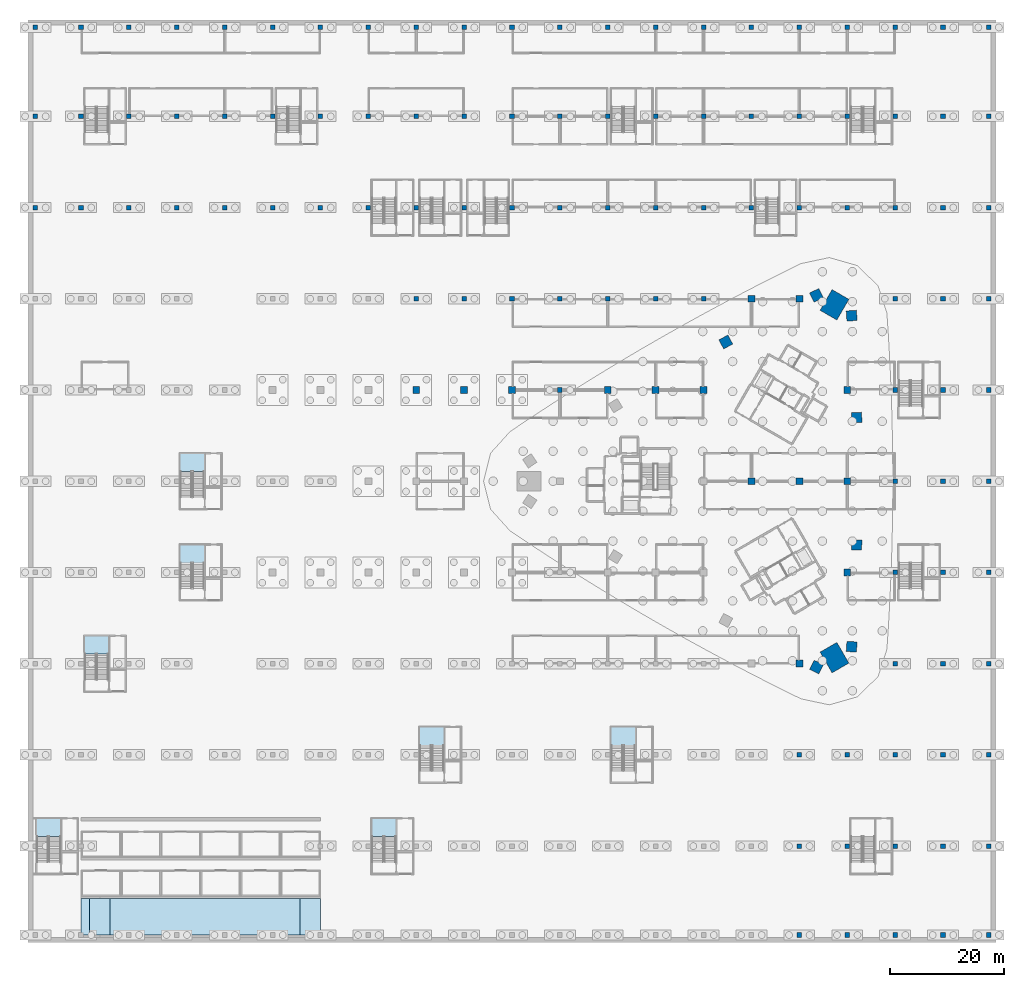
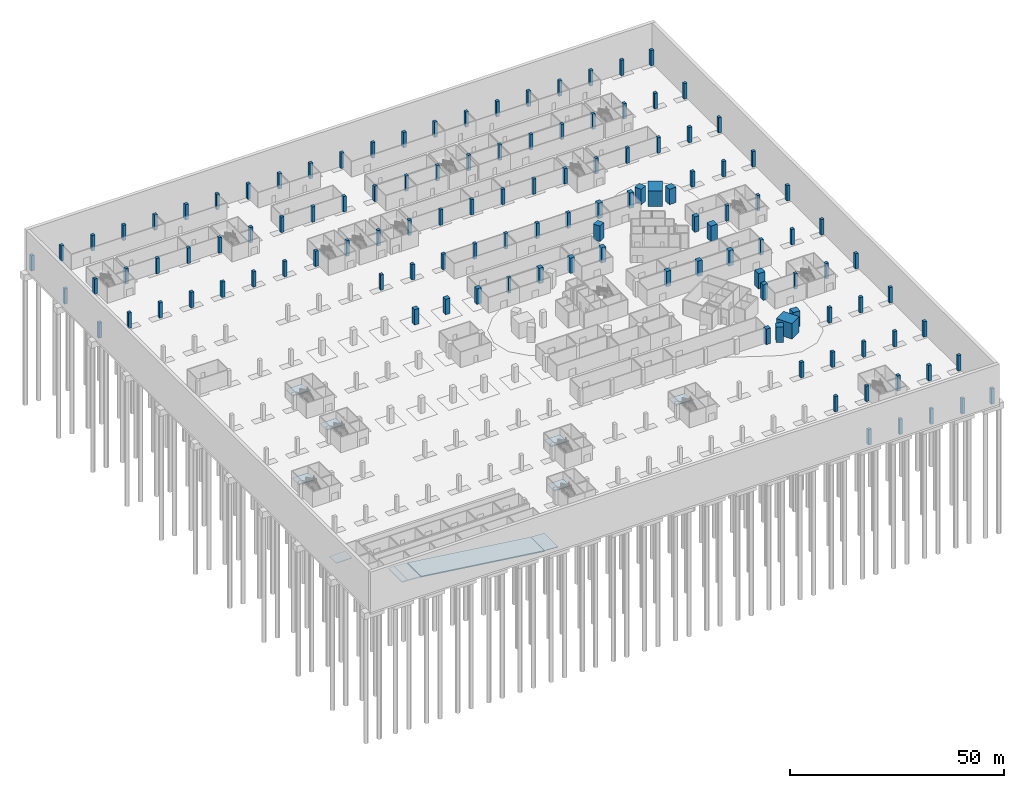
# One storey, part 4 of 46: 124 columns, 11 slabs, 7 elements without a shape of their own.
"""IFC4 building model written with IfcOpenShell, lengths in metres."""

from ifc_helpers import new_model, si_unit, direction, frame, origin, origin_2d, place, context, subcontext, project, spatial, polyline, rectangle, outline, extrude, material, layer, layer_set, material_profile, profile_set, type_object, element, aggregate, save


model = new_model("IFC4")

# Units and contexts
model_context = context("Model", 3, precision=1e-05, world=origin(), true_north=direction((0.0, 1.0)))
body_context = subcontext(model_context, "Body", "Model", "MODEL_VIEW")
ifc_project = project(units=[si_unit("LENGTHUNIT", "METRE"), si_unit("AREAUNIT", "SQUARE_METRE"), si_unit("VOLUMEUNIT", "CUBIC_METRE"), si_unit("PLANEANGLEUNIT", "RADIAN"), si_unit("MASSUNIT", "GRAM", prefix="KILO")], contexts=[model_context])

# Site, building, storey
site_placement = place(None, origin())
site = spatial("IfcSite", under=ifc_project, at=site_placement, CompositionType="ELEMENT")
building_placement = place(site_placement, origin())
building = spatial("IfcBuilding", under=site, at=building_placement, Name="Tamra Quay Hotel Tower", CompositionType="ELEMENT")
storey_placement = place(building_placement, frame((0.0, 0.0, -12.0)))
storey = spatial("IfcBuildingStorey", under=building, at=storey_placement, Name="B3", CompositionType="ELEMENT", Elevation=-12.0)

# Columns
ifc_material_1 = material(Name="Concrete M70", Category="concrete")
ifc_material_profile_1 = material_profile(ifc_material_1, rectangle(XDim=1.199951171875, YDim=1.199951171875, at=origin_2d()), Name="LATTICE COLUMN RC 1200x1200")
ifc_profile_set_1 = profile_set([ifc_material_profile_1], Name="Concrete M70")
column_type_1 = type_object("IfcColumnType", Name="LATTICE COLUMN RC 1200x1200", PredefinedType="COLUMN", material=ifc_profile_set_1)
for number, where, z_axis, x_axis, name in (
    (1, (-55.5, 16.0, 0.0), (0.0, 0.0, 1.0), (1.0, 0.0, 0.0), "COL-BC089-B3"),
    (2, (-47.10009765625, 16.0, 0.0), (0.0, 0.0, 1.0), (1.0, 0.0, 0.0), "COL-BC100-B3"),
    (3, (-38.699951171875, 16.0, 0.0), (0.0, 0.0, 1.0), (1.0, 0.0, 0.0), "COL-BC110-B3"),
    (4, (-21.89990234375, 16.0, 0.0), (0.0, 0.0, 1.0), (1.0, 0.0, 0.0), "COL-BC131-B3"),
    (5, (-13.5, 16.0, 0.0), (0.0, 0.0, 1.0), (1.0, 0.0, 0.0), "COL-BC141-B3"),
    (6, (-5.10009765625, 16.0, 0.0), (0.0, 0.0, 1.0), (1.0, 0.0, 0.0), "COL-BC152-B3"),
    (7, (3.300048828125, 0.0, 0.0), (0.0, 0.0, 1.0), (1.0, 0.0, 0.0), "COL-BC161-B3"),
    (8, (3.300048828125, 32.0, 0.0), (0.0, 0.0, 1.0), (1.0, 0.0, 0.0), "COL-BC162-B3"),
    (9, (11.699951171875, -32.0, 0.0), (0.0, 0.0, 1.0), (1.0, 0.0, 0.0), "COL-BC169-B3"),
    (10, (11.699951171875, 0.0, 0.0), (0.0, 0.0, 1.0), (1.0, 0.0, 0.0), "COL-BC170-B3"),
    (11, (11.699951171875, 32.0, 0.0), (0.0, 0.0, 1.0), (1.0, 0.0, 0.0), "COL-BC171-B3"),
    (12, (20.10009765625, -16.0, 0.0), (0.0, 0.0, 1.0), (1.0, 0.0, 0.0), "COL-BC178-B3"),
    (13, (20.10009765625, 0.0, 0.0), (0.0, 0.0, 1.0), (1.0, 0.0, 0.0), "COL-BC179-B3"),
    (14, (20.10009765625, 16.0, 0.0), (0.0, 0.0, 1.0), (1.0, 0.0, 0.0), "COL-BC180-B3"),
):
    element("IfcColumn", number, at=place(storey_placement, frame(where, z_axis=z_axis, x_axis=x_axis)), inside=storey, type_object=column_type_1, Name=name, PredefinedType="COLUMN", context=body_context, shape_type="SweptSolid", body=[
        extrude(rectangle(XDim=1.199951171875, YDim=1.199951171875, at=origin_2d()), origin(), (0.0, 0.0, 1.0), 4.39990234375),
    ])
ifc_material_profile_2 = material_profile(ifc_material_1, rectangle(XDim=0.800048828125, YDim=0.800048828125, at=origin_2d()), Name="LATTICE COLUMN RC 800x800")
ifc_profile_set_2 = profile_set([ifc_material_profile_2], Name="Concrete M70")
column_type_2 = type_object("IfcColumnType", Name="LATTICE COLUMN RC 800x800", PredefinedType="COLUMN", material=ifc_profile_set_2)
for number, where, z_axis, x_axis, name in (
    (15, (-122.300048828125, 48.0, 0.0), (0.0, 0.0, 1.0), (1.0, 0.0, 0.0), "COL-BC009-B3"),
    (16, (-122.300048828125, 64.0, 0.0), (0.0, 0.0, 1.0), (1.0, 0.0, 0.0), "COL-BC010-B3"),
    (17, (-122.300048828125, 79.60009765625, 0.0), (0.0, 0.0, 1.0), (1.0, 0.0, 0.0), "COL-BC011-B3"),
    (18, (-114.300048828125, 48.0, 0.0), (0.0, 0.0, 1.0), (1.0, 0.0, 0.0), "COL-BC020-B3"),
    (19, (-114.300048828125, 64.0, 0.0), (0.0, 0.0, 1.0), (1.0, 0.0, 0.0), "COL-BC021-B3"),
    (20, (-114.300048828125, 79.60009765625, 0.0), (0.0, 0.0, 1.0), (1.0, 0.0, 0.0), "COL-BC022-B3"),
    (21, (-105.89990234375, 48.0, 0.0), (0.0, 0.0, 1.0), (1.0, 0.0, 0.0), "COL-BC030-B3"),
    (22, (-105.89990234375, 64.0, 0.0), (0.0, 0.0, 1.0), (1.0, 0.0, 0.0), "COL-BC031-B3"),
    (23, (-105.89990234375, 79.60009765625, 0.0), (0.0, 0.0, 1.0), (1.0, 0.0, 0.0), "COL-BC032-B3"),
    (24, (-97.5, 48.0, 0.0), (0.0, 0.0, 1.0), (1.0, 0.0, 0.0), "COL-BC040-B3"),
    (25, (-97.5, 64.0, 0.0), (0.0, 0.0, 1.0), (1.0, 0.0, 0.0), "COL-BC041-B3"),
    (26, (-97.5, 79.60009765625, 0.0), (0.0, 0.0, 1.0), (1.0, 0.0, 0.0), "COL-BC042-B3"),
    (27, (-89.10009765625, 48.0, 0.0), (0.0, 0.0, 1.0), (1.0, 0.0, 0.0), "COL-BC048-B3"),
    (28, (-89.10009765625, 64.0, 0.0), (0.0, 0.0, 1.0), (1.0, 0.0, 0.0), "COL-BC049-B3"),
    (29, (-89.10009765625, 79.60009765625, 0.0), (0.0, 0.0, 1.0), (1.0, 0.0, 0.0), "COL-BC050-B3"),
    (30, (-80.699951171875, 48.0, 0.0), (0.0, 0.0, 1.0), (1.0, 0.0, 0.0), "COL-BC058-B3"),
    (31, (-80.699951171875, 64.0, 0.0), (0.0, 0.0, 1.0), (1.0, 0.0, 0.0), "COL-BC059-B3"),
    (32, (-80.699951171875, 79.60009765625, 0.0), (0.0, 0.0, 1.0), (1.0, 0.0, 0.0), "COL-BC060-B3"),
    (33, (-72.300048828125, 48.0, 0.0), (0.0, 0.0, 1.0), (1.0, 0.0, 0.0), "COL-BC069-B3"),
    (34, (-72.300048828125, 64.0, 0.0), (0.0, 0.0, 1.0), (1.0, 0.0, 0.0), "COL-BC070-B3"),
    (35, (-72.300048828125, 79.60009765625, 0.0), (0.0, 0.0, 1.0), (1.0, 0.0, 0.0), "COL-BC071-B3"),
    (36, (-63.89990234375, 48.0, 0.0), (0.0, 0.0, 1.0), (1.0, 0.0, 0.0), "COL-BC080-B3"),
    (37, (-63.89990234375, 64.0, 0.0), (0.0, 0.0, 1.0), (1.0, 0.0, 0.0), "COL-BC081-B3"),
    (38, (-63.89990234375, 79.60009765625, 0.0), (0.0, 0.0, 1.0), (1.0, 0.0, 0.0), "COL-BC082-B3"),
    (39, (-55.5, 32.0, 0.0), (0.0, 0.0, 1.0), (1.0, 0.0, 0.0), "COL-BC090-B3"),
    (40, (-55.5, 48.0, 0.0), (0.0, 0.0, 1.0), (1.0, 0.0, 0.0), "COL-BC091-B3"),
    (41, (-55.5, 64.0, 0.0), (0.0, 0.0, 1.0), (1.0, 0.0, 0.0), "COL-BC092-B3"),
    (42, (-55.5, 79.60009765625, 0.0), (0.0, 0.0, 1.0), (1.0, 0.0, 0.0), "COL-BC093-B3"),
    (43, (-47.10009765625, 32.0, 0.0), (0.0, 0.0, 1.0), (1.0, 0.0, 0.0), "COL-BC101-B3"),
    (44, (-47.10009765625, 48.0, 0.0), (0.0, 0.0, 1.0), (1.0, 0.0, 0.0), "COL-BC102-B3"),
    (45, (-47.10009765625, 64.0, 0.0), (0.0, 0.0, 1.0), (1.0, 0.0, 0.0), "COL-BC103-B3"),
    (46, (-47.10009765625, 79.60009765625, 0.0), (0.0, 0.0, 1.0), (1.0, 0.0, 0.0), "COL-BC104-B3"),
    (47, (-38.699951171875, 32.0, 0.0), (0.0, 0.0, 1.0), (1.0, 0.0, 0.0), "COL-BC111-B3"),
    (48, (-38.699951171875, 48.0, 0.0), (0.0, 0.0, 1.0), (1.0, 0.0, 0.0), "COL-BC112-B3"),
    (49, (-38.699951171875, 64.0, 0.0), (0.0, 0.0, 1.0), (1.0, 0.0, 0.0), "COL-BC113-B3"),
    (50, (-38.699951171875, 79.60009765625, 0.0), (0.0, 0.0, 1.0), (1.0, 0.0, 0.0), "COL-BC114-B3"),
    (51, (-30.300048828125, 16.0, 0.0), (0.0, 0.0, 1.0), (1.0, 0.0, 0.0), "COL-BC121-B3"),
    (52, (-30.300048828125, 32.0, 0.0), (0.0, 0.0, 1.0), (1.0, 0.0, 0.0), "COL-BC122-B3"),
    (53, (-30.300048828125, 48.0, 0.0), (0.0, 0.0, 1.0), (1.0, 0.0, 0.0), "COL-BC123-B3"),
    (54, (-30.300048828125, 64.0, 0.0), (0.0, 0.0, 1.0), (1.0, 0.0, 0.0), "COL-BC124-B3"),
    (55, (-30.300048828125, 79.60009765625, 0.0), (0.0, 0.0, 1.0), (1.0, 0.0, 0.0), "COL-BC125-B3"),
    (56, (-21.89990234375, 32.0, 0.0), (0.0, 0.0, 1.0), (1.0, 0.0, 0.0), "COL-BC132-B3"),
    (57, (-21.89990234375, 48.0, 0.0), (0.0, 0.0, 1.0), (1.0, 0.0, 0.0), "COL-BC133-B3"),
    (58, (-21.89990234375, 64.0, 0.0), (0.0, 0.0, 1.0), (1.0, 0.0, 0.0), "COL-BC134-B3"),
    (59, (-21.89990234375, 79.60009765625, 0.0), (0.0, 0.0, 1.0), (1.0, 0.0, 0.0), "COL-BC135-B3"),
    (60, (-13.5, 32.0, 0.0), (0.0, 0.0, 1.0), (1.0, 0.0, 0.0), "COL-BC142-B3"),
    (61, (-13.5, 48.0, 0.0), (0.0, 0.0, 1.0), (1.0, 0.0, 0.0), "COL-BC143-B3"),
    (62, (-13.5, 64.0, 0.0), (0.0, 0.0, 1.0), (1.0, 0.0, 0.0), "COL-BC144-B3"),
    (63, (-13.5, 79.60009765625, 0.0), (0.0, 0.0, 1.0), (1.0, 0.0, 0.0), "COL-BC145-B3"),
    (64, (-5.10009765625, 32.0, 0.0), (0.0, 0.0, 1.0), (1.0, 0.0, 0.0), "COL-BC153-B3"),
    (65, (-5.10009765625, 48.0, 0.0), (0.0, 0.0, 1.0), (1.0, 0.0, 0.0), "COL-BC154-B3"),
    (66, (-5.10009765625, 64.0, 0.0), (0.0, 0.0, 1.0), (1.0, 0.0, 0.0), "COL-BC155-B3"),
    (67, (-5.10009765625, 79.60009765625, 0.0), (0.0, 0.0, 1.0), (1.0, 0.0, 0.0), "COL-BC156-B3"),
    (68, (3.300048828125, 48.0, 0.0), (0.0, 0.0, 1.0), (1.0, 0.0, 0.0), "COL-BC163-B3"),
    (69, (3.300048828125, 64.0, 0.0), (0.0, 0.0, 1.0), (1.0, 0.0, 0.0), "COL-BC164-B3"),
    (70, (3.300048828125, 79.60009765625, 0.0), (0.0, 0.0, 1.0), (1.0, 0.0, 0.0), "COL-BC165-B3"),
    (71, (11.699951171875, -79.60009765625, 0.0), (0.0, 0.0, 1.0), (1.0, 0.0, 0.0), "COL-BC166-B3"),
    (72, (11.699951171875, -64.0, 0.0), (0.0, 0.0, 1.0), (1.0, 0.0, 0.0), "COL-BC167-B3"),
    (73, (11.699951171875, -48.0, 0.0), (0.0, 0.0, 1.0), (1.0, 0.0, 0.0), "COL-BC168-B3"),
    (74, (11.699951171875, 48.0, 0.0), (0.0, 0.0, 1.0), (1.0, 0.0, 0.0), "COL-BC172-B3"),
    (75, (11.699951171875, 64.0, 0.0), (0.0, 0.0, 1.0), (1.0, 0.0, 0.0), "COL-BC173-B3"),
    (76, (11.699951171875, 79.60009765625, 0.0), (0.0, 0.0, 1.0), (1.0, 0.0, 0.0), "COL-BC174-B3"),
    (77, (20.10009765625, -79.60009765625, 0.0), (0.0, 0.0, 1.0), (1.0, 0.0, 0.0), "COL-BC175-B3"),
    (78, (20.10009765625, -64.0, 0.0), (0.0, 0.0, 1.0), (1.0, 0.0, 0.0), "COL-BC176-B3"),
    (79, (20.10009765625, -48.0, 0.0), (0.0, 0.0, 1.0), (1.0, 0.0, 0.0), "COL-BC177-B3"),
    (80, (20.10009765625, 48.0, 0.0), (0.0, 0.0, 1.0), (1.0, 0.0, 0.0), "COL-BC181-B3"),
    (81, (20.10009765625, 64.0, 0.0), (0.0, 0.0, 1.0), (1.0, 0.0, 0.0), "COL-BC182-B3"),
    (82, (20.10009765625, 79.60009765625, 0.0), (0.0, 0.0, 1.0), (1.0, 0.0, 0.0), "COL-BC183-B3"),
    (83, (28.5, -79.60009765625, 0.0), (0.0, 0.0, 1.0), (1.0, 0.0, 0.0), "COL-BC184-B3"),
    (84, (28.5, -64.0, 0.0), (0.0, 0.0, 1.0), (1.0, 0.0, 0.0), "COL-BC185-B3"),
    (85, (28.5, -48.0, 0.0), (0.0, 0.0, 1.0), (1.0, 0.0, 0.0), "COL-BC186-B3"),
    (86, (28.5, -32.0, 0.0), (0.0, 0.0, 1.0), (1.0, 0.0, 0.0), "COL-BC187-B3"),
    (87, (28.5, -16.0, 0.0), (0.0, 0.0, 1.0), (1.0, 0.0, 0.0), "COL-BC188-B3"),
    (88, (28.5, 0.0, 0.0), (0.0, 0.0, 1.0), (1.0, 0.0, 0.0), "COL-BC189-B3"),
    (89, (28.5, 16.0, 0.0), (0.0, 0.0, 1.0), (1.0, 0.0, 0.0), "COL-BC190-B3"),
    (90, (28.5, 32.0, 0.0), (0.0, 0.0, 1.0), (1.0, 0.0, 0.0), "COL-BC191-B3"),
    (91, (28.5, 48.0, 0.0), (0.0, 0.0, 1.0), (1.0, 0.0, 0.0), "COL-BC192-B3"),
    (92, (28.5, 64.0, 0.0), (0.0, 0.0, 1.0), (1.0, 0.0, 0.0), "COL-BC193-B3"),
    (93, (28.5, 79.60009765625, 0.0), (0.0, 0.0, 1.0), (1.0, 0.0, 0.0), "COL-BC194-B3"),
    (94, (36.89990234375, -79.60009765625, 0.0), (0.0, 0.0, 1.0), (1.0, 0.0, 0.0), "COL-BC195-B3"),
    (95, (36.89990234375, -64.0, 0.0), (0.0, 0.0, 1.0), (1.0, 0.0, 0.0), "COL-BC196-B3"),
    (96, (36.89990234375, -48.0, 0.0), (0.0, 0.0, 1.0), (1.0, 0.0, 0.0), "COL-BC197-B3"),
    (97, (36.89990234375, -32.0, 0.0), (0.0, 0.0, 1.0), (1.0, 0.0, 0.0), "COL-BC198-B3"),
    (98, (36.89990234375, -16.0, 0.0), (0.0, 0.0, 1.0), (1.0, 0.0, 0.0), "COL-BC199-B3"),
    (99, (36.89990234375, 0.0, 0.0), (0.0, 0.0, 1.0), (1.0, 0.0, 0.0), "COL-BC200-B3"),
    (100, (36.89990234375, 16.0, 0.0), (0.0, 0.0, 1.0), (1.0, 0.0, 0.0), "COL-BC201-B3"),
    (101, (36.89990234375, 32.0, 0.0), (0.0, 0.0, 1.0), (1.0, 0.0, 0.0), "COL-BC202-B3"),
    (102, (36.89990234375, 48.0, 0.0), (0.0, 0.0, 1.0), (1.0, 0.0, 0.0), "COL-BC203-B3"),
    (103, (36.89990234375, 64.0, 0.0), (0.0, 0.0, 1.0), (1.0, 0.0, 0.0), "COL-BC204-B3"),
    (104, (36.89990234375, 79.60009765625, 0.0), (0.0, 0.0, 1.0), (1.0, 0.0, 0.0), "COL-BC205-B3"),
    (105, (44.89990234375, -79.60009765625, 0.0), (0.0, 0.0, 1.0), (1.0, 0.0, 0.0), "COL-BC206-B3"),
    (106, (44.89990234375, -64.0, 0.0), (0.0, 0.0, 1.0), (1.0, 0.0, 0.0), "COL-BC207-B3"),
    (107, (44.89990234375, -48.0, 0.0), (0.0, 0.0, 1.0), (1.0, 0.0, 0.0), "COL-BC208-B3"),
    (108, (44.89990234375, -32.0, 0.0), (0.0, 0.0, 1.0), (1.0, 0.0, 0.0), "COL-BC209-B3"),
    (109, (44.89990234375, -16.0, 0.0), (0.0, 0.0, 1.0), (1.0, 0.0, 0.0), "COL-BC210-B3"),
    (110, (44.89990234375, 0.0, 0.0), (0.0, 0.0, 1.0), (1.0, 0.0, 0.0), "COL-BC211-B3"),
    (111, (44.89990234375, 16.0, 0.0), (0.0, 0.0, 1.0), (1.0, 0.0, 0.0), "COL-BC212-B3"),
    (112, (44.89990234375, 32.0, 0.0), (0.0, 0.0, 1.0), (1.0, 0.0, 0.0), "COL-BC213-B3"),
    (113, (44.89990234375, 48.0, 0.0), (0.0, 0.0, 1.0), (1.0, 0.0, 0.0), "COL-BC214-B3"),
    (114, (44.89990234375, 64.0, 0.0), (0.0, 0.0, 1.0), (1.0, 0.0, 0.0), "COL-BC215-B3"),
    (115, (44.89990234375, 79.60009765625, 0.0), (0.0, 0.0, 1.0), (1.0, 0.0, 0.0), "COL-BC216-B3"),
):
    element("IfcColumn", number, at=place(storey_placement, frame(where, z_axis=z_axis, x_axis=x_axis)), inside=storey, type_object=column_type_2, Name=name, PredefinedType="COLUMN", context=body_context, shape_type="SweptSolid", body=[
        extrude(rectangle(XDim=0.800048828125, YDim=0.800048828125, at=origin_2d()), origin(), (0.0, 0.0, 1.0), 4.39990234375),
    ])
ifc_material_profile_3 = material_profile(ifc_material_1, rectangle(XDim=4.199951171875, YDim=3.39990234375, at=origin_2d()), Name="MEGA COLUMN RC 3400x4200 Z1")
ifc_profile_set_3 = profile_set([ifc_material_profile_3], Name="Concrete M70")
column_type_3 = type_object("IfcColumnType", Name="MEGA COLUMN RC 3400x4200 Z1", PredefinedType="COLUMN", material=ifc_profile_set_3)
for number, where, z_axis, x_axis, name in (
    (116, (17.864501953125, 30.942138671875, 0.0), (0.0, 0.0, 1.0), (0.5, 0.866025403784, 0.0), "COL-M0NE-B3"),
    (117, (17.864501953125, -30.942138671875, 0.0), (0.0, 0.0, 1.0), (-0.5, 0.866025403784, 0.0), "COL-M0SE-B3"),
):
    element("IfcColumn", number, at=place(storey_placement, frame(where, z_axis=z_axis, x_axis=x_axis)), inside=storey, type_object=column_type_3, Name=name, PredefinedType="COLUMN", context=body_context, shape_type="SweptSolid", body=[
        extrude(rectangle(XDim=4.199951171875, YDim=3.39990234375, at=origin_2d()), origin(), (0.0, 0.0, 1.0), 4.39990234375),
    ])
ifc_material_profile_4 = material_profile(ifc_material_1, rectangle(XDim=1.800048828125, YDim=1.800048828125, at=origin_2d()), Name="MIDFACE COLUMN RC 1800x1800")
ifc_profile_set_4 = profile_set([ifc_material_profile_4], Name="Concrete M70")
column_type_4 = type_object("IfcColumnType", Name="MIDFACE COLUMN RC 1800x1800", PredefinedType="COLUMN", material=ifc_profile_set_4)
for number, where, z_axis, x_axis, name in (
    (118, (20.87890625, -29.033935546875, 0.0), (0.0, 0.0, 1.0), (-0.997561736499, 0.069789554182, 0.0), "COL-PRE1-B3"),
    (119, (21.7490234375, -11.17431640625, 0.0), (0.0, 0.0, 1.0), (-0.999628128016, 0.02726913418, 0.0), "COL-PRE2-B3"),
    (120, (21.7490234375, 11.17431640625, 0.0), (0.0, 0.0, 1.0), (0.999628128016, 0.02726913418, 0.0), "COL-PRE3-B3"),
    (121, (20.87890625, 29.033935546875, 0.0), (0.0, 0.0, 1.0), (0.997561736499, 0.069789554182, 0.0), "COL-PRE4-B3"),
    (122, (14.70458984375, 32.5986328125, 0.0), (0.0, 0.0, 1.0), (-0.438341341409, 0.898808582743, 0.0), "COL-PRNW1-B3"),
    (123, (-1.197265625, 24.422607421875, 0.0), (0.0, 0.0, 1.0), (-0.476198301069, 0.879337920289, 0.0), "COL-PRNW2-B3"),
    (124, (14.70458984375, -32.5986328125, 0.0), (0.0, 0.0, 1.0), (0.438341341409, 0.898808582743, 0.0), "COL-PRSW4-B3"),
):
    element("IfcColumn", number, at=place(storey_placement, frame(where, z_axis=z_axis, x_axis=x_axis)), inside=storey, type_object=column_type_4, Name=name, PredefinedType="COLUMN", context=body_context, shape_type="SweptSolid", body=[
        extrude(rectangle(XDim=1.800048828125, YDim=1.800048828125, at=origin_2d()), origin(), (0.0, 0.0, 1.0), 4.39990234375),
    ])

# Stair, slab
ifc_material_2 = material(Name="Basement exit stair")
stair_type = type_object("IfcStairType", Name="Basement exit stair", PredefinedType="HALF_TURN_STAIR", material=ifc_material_2)
stair_1_placement = place(storey_placement, origin())
stair_1 = element("IfcStair", 125, at=stair_1_placement, inside=storey, type_object=stair_type, Name="B3 Basement Exit Stair BS1", PredefinedType="HALF_TURN_STAIR")
ifc_material_3 = material(Name="Concrete M60", Category="concrete")
ifc_layer_1 = layer(ifc_material_3, 0.199951171875)
ifc_layer_set_1 = layer_set([ifc_layer_1], Name="Concrete M60 basement stair landing 200")
slab_type_1 = type_object("IfcSlabType", Name="Concrete M60 basement stair landing 200", PredefinedType="LANDING", material=ifc_layer_set_1)
slab_1_placement = place(storey_placement, frame((0.0, 0.0, 2.199951171875)))
slab_1 = element("IfcSlab", 126, at=slab_1_placement, type_object=slab_type_1, Name="BS1 landing 1", PredefinedType="LANDING", context=body_context, shape_type="SweptSolid", body=[
    extrude(outline(polyline([(-109.449951171875, -30.320068359375), (-109.449951171875, -27.14990234375), (-113.699951171875, -27.14990234375), (-113.699951171875, -30.320068359375), (-109.449951171875, -30.320068359375)])), origin(), (0.0, 0.0, 1.0), 0.199951171875),
])
aggregate(stair_1, [slab_1])

stair_2_placement = place(storey_placement, origin())
stair_2 = element("IfcStair", 127, at=stair_2_placement, inside=storey, type_object=stair_type, Name="B3 Basement Exit Stair BS3", PredefinedType="HALF_TURN_STAIR")
slab_2_placement = place(storey_placement, frame((0.0, 0.0, 2.199951171875)))
slab_2 = element("IfcSlab", 128, at=slab_2_placement, type_object=slab_type_1, Name="BS3 landing 1", PredefinedType="LANDING", context=body_context, shape_type="SweptSolid", body=[
    extrude(outline(polyline([(-92.64990234375, -14.320068359375), (-92.64990234375, -11.14990234375), (-96.89990234375, -11.14990234375), (-96.89990234375, -14.320068359375), (-92.64990234375, -14.320068359375)])), origin(), (0.0, 0.0, 1.0), 0.199951171875),
])
aggregate(stair_2, [slab_2])

stair_3_placement = place(storey_placement, origin())
stair_3 = element("IfcStair", 129, at=stair_3_placement, inside=storey, type_object=stair_type, Name="B3 Basement Exit Stair BS4", PredefinedType="HALF_TURN_STAIR")
slab_3_placement = place(storey_placement, frame((0.0, 0.0, 2.199951171875)))
slab_3 = element("IfcSlab", 130, at=slab_3_placement, type_object=slab_type_1, Name="BS4 landing 1", PredefinedType="LANDING", context=body_context, shape_type="SweptSolid", body=[
    extrude(outline(polyline([(-92.64990234375, 1.679931640625), (-92.64990234375, 4.85009765625), (-96.89990234375, 4.85009765625), (-96.89990234375, 1.679931640625), (-92.64990234375, 1.679931640625)])), origin(), (0.0, 0.0, 1.0), 0.199951171875),
])
aggregate(stair_3, [slab_3])

stair_4_placement = place(storey_placement, origin())
stair_4 = element("IfcStair", 131, at=stair_4_placement, inside=storey, type_object=stair_type, Name="B3 Basement Exit Stair BS6", PredefinedType="HALF_TURN_STAIR")
slab_4_placement = place(storey_placement, frame((0.0, 0.0, 2.199951171875)))
slab_4 = element("IfcSlab", 132, at=slab_4_placement, type_object=slab_type_1, Name="BS6 landing 1", PredefinedType="LANDING", context=body_context, shape_type="SweptSolid", body=[
    extrude(outline(polyline([(-59.050048828125, -62.320068359375), (-59.050048828125, -59.14990234375), (-63.300048828125, -59.14990234375), (-63.300048828125, -62.320068359375), (-59.050048828125, -62.320068359375)])), origin(), (0.0, 0.0, 1.0), 0.199951171875),
])
aggregate(stair_4, [slab_4])

stair_5_placement = place(storey_placement, origin())
stair_5 = element("IfcStair", 133, at=stair_5_placement, inside=storey, type_object=stair_type, Name="B3 Basement Exit Stair BS8", PredefinedType="HALF_TURN_STAIR")
slab_5_placement = place(storey_placement, frame((0.0, 0.0, 2.199951171875)))
slab_5 = element("IfcSlab", 134, at=slab_5_placement, type_object=slab_type_1, Name="BS8 landing 1", PredefinedType="LANDING", context=body_context, shape_type="SweptSolid", body=[
    extrude(outline(polyline([(-50.64990234375, -46.320068359375), (-50.64990234375, -43.14990234375), (-54.89990234375, -43.14990234375), (-54.89990234375, -46.320068359375), (-50.64990234375, -46.320068359375)])), origin(), (0.0, 0.0, 1.0), 0.199951171875),
])
aggregate(stair_5, [slab_5])

stair_6_placement = place(storey_placement, origin())
stair_6 = element("IfcStair", 135, at=stair_6_placement, inside=storey, type_object=stair_type, Name="B3 Basement Exit Stair BS10", PredefinedType="HALF_TURN_STAIR")
slab_6_placement = place(storey_placement, frame((0.0, 0.0, 2.199951171875)))
slab_6 = element("IfcSlab", 136, at=slab_6_placement, type_object=slab_type_1, Name="BS10 landing 1", PredefinedType="LANDING", context=body_context, shape_type="SweptSolid", body=[
    extrude(outline(polyline([(-17.050048828125, -46.320068359375), (-17.050048828125, -43.14990234375), (-21.300048828125, -43.14990234375), (-21.300048828125, -46.320068359375), (-17.050048828125, -46.320068359375)])), origin(), (0.0, 0.0, 1.0), 0.199951171875),
])
aggregate(stair_6, [slab_6])

stair_7_placement = place(storey_placement, origin())
stair_7 = element("IfcStair", 137, at=stair_7_placement, inside=storey, type_object=stair_type, Name="B3 Basement Exit Stair BS18", PredefinedType="HALF_TURN_STAIR")
slab_7_placement = place(storey_placement, frame((0.0, 0.0, 2.199951171875)))
slab_7 = element("IfcSlab", 138, at=slab_7_placement, type_object=slab_type_1, Name="BS18 landing 1", PredefinedType="LANDING", context=body_context, shape_type="SweptSolid", body=[
    extrude(outline(polyline([(-117.85009765625, -62.320068359375), (-117.85009765625, -59.14990234375), (-122.10009765625, -59.14990234375), (-122.10009765625, -62.320068359375), (-117.85009765625, -62.320068359375)])), origin(), (0.0, 0.0, 1.0), 0.199951171875),
])
aggregate(stair_7, [slab_7])

# Slabs
ifc_layer_2 = layer(ifc_material_3, 0.300048828125)
ifc_layer_set_2 = layer_set([ifc_layer_2], Name="Concrete M60 vehicle ramp slab 300")
slab_type_2 = type_object("IfcSlabType", Name="Concrete M60 vehicle ramp slab 300", PredefinedType="USERDEFINED", material=ifc_layer_set_2)
slab_8_placement = place(storey_placement, frame((0.0, 0.0, 4.5)))
element("IfcSlab", 139, at=slab_8_placement, inside=storey, type_object=slab_type_2, Name="Vehicle ramp C slab 1", ObjectType="VEHICLE RAMP SLAB", PredefinedType="USERDEFINED", context=body_context, shape_type="SweptSolid", body=[
    extrude(outline(polyline([(-114.300048828125, -79.599609375), (-112.800048828125, -79.599609375), (-112.800048828125, -73.200439453125), (-114.300048828125, -73.200439453125), (-114.300048828125, -79.599609375)])), origin(), (0.0, 0.0, 1.0), 0.300048828125),
])
slab_9_placement = place(storey_placement, frame((-112.800048828125, -79.6201171875, 4.800048828125), z_axis=(0.064897488583, 0.0, 0.997891936021), x_axis=(0.997891936021, 0.0, -0.064897488583)))
element("IfcSlab", 140, at=slab_9_placement, inside=storey, type_object=slab_type_2, Name="Vehicle ramp C slab 2", ObjectType="VEHICLE RAMP SLAB", PredefinedType="USERDEFINED", context=body_context, shape_type="SweptSolid", body=[
    extrude(outline(polyline([(0.0, 0.0), (3.6077029248329775, 0.0), (3.6077029248329775, 6.440185546875), (0.0, 6.440185546875), (0.0, 0.0)])), origin(), (0.0, 0.0, -1.0), 0.300048828125),
])
slab_10_placement = place(storey_placement, frame((-109.199951171875, -79.6201171875, 4.56591796875), z_axis=(0.128996662157, 0.0, 0.991645027796), x_axis=(0.991645027796, 0.0, -0.128996662157)))
element("IfcSlab", 141, at=slab_10_placement, inside=storey, type_object=slab_type_2, Name="Vehicle ramp C slab 3", ObjectType="VEHICLE RAMP SLAB", PredefinedType="USERDEFINED", context=body_context, shape_type="SweptSolid", body=[
    extrude(outline(polyline([(0.0, 0.0), (33.5806139240553, 0.0), (33.5806139240553, 6.440185546875), (0.0, 6.440185546875), (0.0, 0.0)])), origin(), (0.0, 0.0, -1.0), 0.300048828125),
])
ifc_layer_3 = layer(ifc_material_3, 0.125)
ifc_layer_set_3 = layer_set([ifc_layer_3], Name="Concrete M60 vehicle ramp toe slab 125")
slab_type_3 = type_object("IfcSlabType", Name="Concrete M60 vehicle ramp toe slab 125", PredefinedType="USERDEFINED", material=ifc_layer_set_3)
slab_11_placement = place(storey_placement, frame((-75.89990234375, -79.6201171875, 0.234130859375), z_axis=(0.053102228738, 0.0, 0.998589081306), x_axis=(0.998589081306, 0.0, -0.053102228738)))
element("IfcSlab", 142, at=slab_11_placement, inside=storey, type_object=slab_type_3, Name="Vehicle ramp C slab 4", ObjectType="VEHICLE RAMP SLAB", PredefinedType="USERDEFINED", context=body_context, shape_type="SweptSolid", body=[
    extrude(outline(polyline([(0.0, 0.0), (3.6550593352948337, 0.0), (3.6550593352948337, 6.440185546875), (0.0, 6.440185546875), (0.0, 0.0)])), origin(), (0.0, 0.0, -1.0), 0.125),
])

save(model, "model.ifc")
